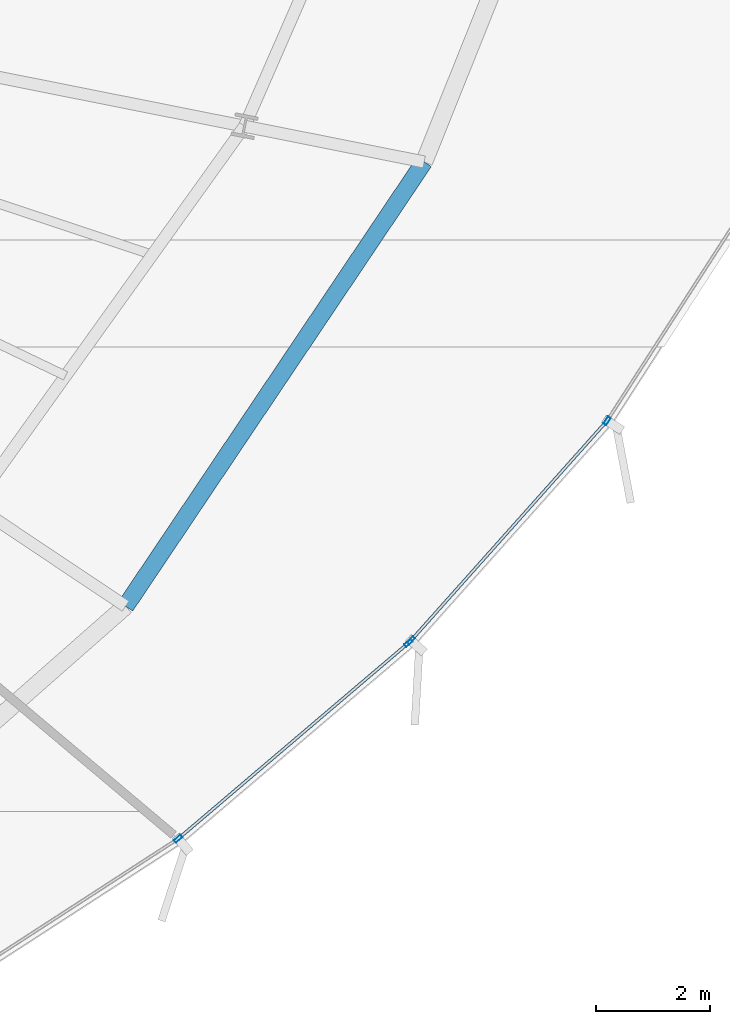
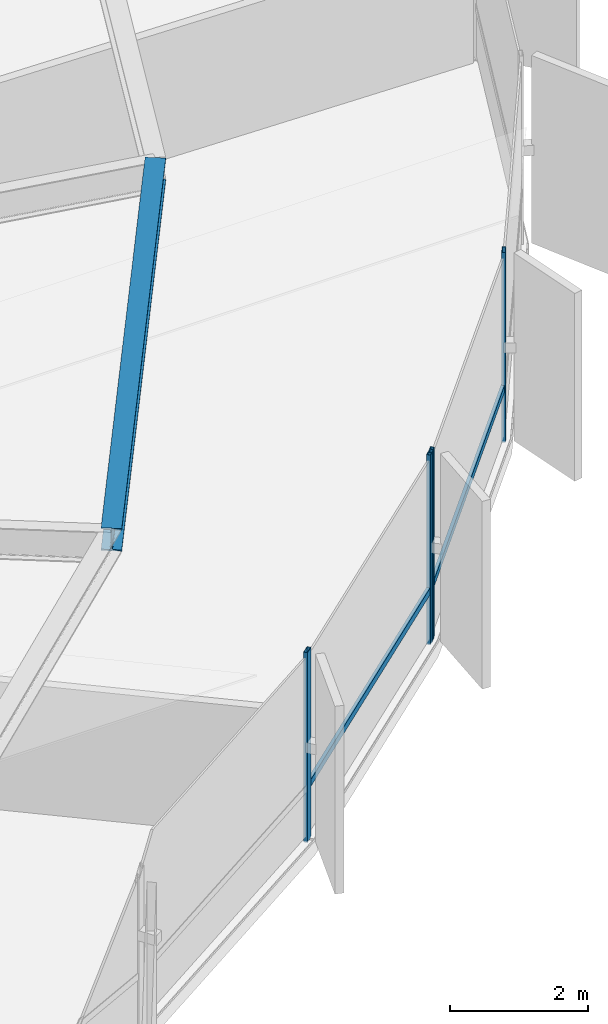
# One storey, part 14 of 35: 6 members, 1 beam, 2 elements without a shape of their own.
"""IFC4 building model written with IfcOpenShell, lengths in metres."""

from ifc_helpers import new_model, si_unit, direction, frame, origin, origin_2d, place, context, subcontext, project, spatial, hollow_rectangle, i_section, extrude, source, transform, mapped, material, layer, layer_set, material_profile, profile_set, type_object, element, aggregate, save


model = new_model("IFC4")

# Units and contexts
model_context = context("Model", 3, precision=1e-05, world=origin(), true_north=direction((0.0, 1.0)))
body_context = subcontext(model_context, "Body", "Model", "MODEL_VIEW")
ifc_project = project(units=[si_unit("LENGTHUNIT", "METRE"), si_unit("AREAUNIT", "SQUARE_METRE"), si_unit("VOLUMEUNIT", "CUBIC_METRE"), si_unit("PLANEANGLEUNIT", "RADIAN"), si_unit("MASSUNIT", "GRAM", prefix="KILO"), si_unit("THERMODYNAMICTEMPERATUREUNIT", "KELVIN")], contexts=[model_context])

# Site, building, storey
site_placement = place(None, origin())
site = spatial("IfcSite", under=ifc_project, at=site_placement, CompositionType="ELEMENT")
building_placement = place(site_placement, origin())
building = spatial("IfcBuilding", under=site, at=building_placement, Name="Kethvar Cultural Tower", CompositionType="ELEMENT")
storey_placement = place(building_placement, frame((0.0, 0.0, 89.199951171875)))
storey = spatial("IfcBuildingStorey", under=building, at=storey_placement, Name="L21", CompositionType="ELEMENT", Elevation=89.199951171875)

# Beam
ifc_material_1 = material(Name="Steel S355J2", Category="steel")
ifc_material_profile_1 = material_profile(ifc_material_1, i_section(OverallWidth=0.300048828125, OverallDepth=0.39990234375, WebThickness=0.013427734375, FlangeThickness=0.02392578125, FilletRadius=0.027099609375, at=origin_2d()), Name="Steel S355J2 — HEB400")
ifc_profile_set_1 = profile_set([ifc_material_profile_1], Name="Steel S355J2 — HEB400")
beam_type = type_object("IfcBeamType", Name="BM-SP400", PredefinedType="SPANDREL", material=ifc_profile_set_1)
shared_shape_1 = source(origin(), body_context, "Body", "SweptSolid", [
    extrude(i_section(OverallWidth=0.300048828125, OverallDepth=0.39990234375, WebThickness=0.013427734375, FlangeThickness=0.02392578125, FilletRadius=0.027099609375, at=origin_2d()), origin(), (0.0, 0.0, 1.0), 9.355224609375),
])
beam_placement = place(storey_placement, frame((65.559326171875, 15.265380859375, 3.14794921875), z_axis=(0.557731714622, 0.830021285573, 0.0), x_axis=(-0.830021285573, 0.557731714622, 0.0)))
element("IfcBeam", 1, at=beam_placement, inside=storey, type_object=beam_type, Name="L21 Perimeter Spandrel Beam SP-15", PredefinedType="SPANDREL", context=body_context, shape_type="MappedRepresentation", body=[
    mapped(shared_shape_1, transform((0.0, 0.0, 0.0), scale=1.0)),
])

# Curtain wall, members
ifc_material_2 = material(Name="Aluminium 6063-T6", Category="aluminium")
ifc_layer = layer(ifc_material_2, 0.179931640625, Name="Aluminium 6063-T6", Category="aluminium")
ifc_layer_set = layer_set([ifc_layer], Name="Aluminium 6063-T6 (180 mm)")
curtain_wall_type = type_object("IfcCurtainWallType", Name="CW-SYS-03-Z2", PredefinedType="NOTDEFINED", material=ifc_layer_set)
curtain_wall_1_placement = place(storey_placement, origin())
curtain_wall_1 = element("IfcCurtainWall", 2, at=curtain_wall_1_placement, inside=storey, type_object=curtain_wall_type, Name="L21 Curtain Wall Run 05", PredefinedType="NOTDEFINED")
ifc_material_profile_2 = material_profile(ifc_material_2, hollow_rectangle(XDim=0.06005859375, YDim=0.14990234375, WallThickness=0.0048828125, at=origin_2d()), Name="Aluminium 6063-T6 — RHS150x60x5")
ifc_profile_set_2 = profile_set([ifc_material_profile_2], Name="Aluminium 6063-T6 — RHS150x60x5")
member_type_1 = type_object("IfcMemberType", Name="CW-SYS-03-Z2-MUL", PredefinedType="MULLION", material=ifc_profile_set_2)
shared_shape_2 = source(origin(), body_context, "Body", "SweptSolid", [
    extrude(hollow_rectangle(XDim=0.06005859375, YDim=0.14990234375, WallThickness=0.0048828125, at=origin_2d()), origin(), (0.0, 0.0, 1.0), 3.35009765625),
])
member_1_placement = place(storey_placement, frame((66.478515625, 11.200439453125, 0.0), z_axis=(0.0, 0.0, 1.0), x_axis=(-0.647774259222, 0.7618323366, 0.0)))
member_1 = element("IfcMember", 3, at=member_1_placement, type_object=member_type_1, Name="CW-L21-R05 Mullion 6", PredefinedType="MULLION", context=body_context, shape_type="MappedRepresentation", body=[
    mapped(shared_shape_2, transform((0.0, 0.0, 0.0), scale=1.0)),
])
member_2_placement = place(storey_placement, frame((70.5029296875, 14.62255859375, 0.0), z_axis=(0.0, 0.0, 1.0), x_axis=(-0.647774259222, 0.7618323366, 0.0)))
member_2 = element("IfcMember", 4, at=member_2_placement, type_object=member_type_1, Name="CW-L21-R05 Mullion 7", PredefinedType="MULLION", context=body_context, shape_type="MappedRepresentation", body=[
    mapped(shared_shape_2, transform((0.0, 0.0, 0.0), scale=1.0)),
])

curtain_wall_2_placement = place(storey_placement, origin())
curtain_wall_2 = element("IfcCurtainWall", 5, at=curtain_wall_2_placement, inside=storey, type_object=curtain_wall_type, Name="L21 Curtain Wall Run 06", PredefinedType="NOTDEFINED")
member_3_placement = place(storey_placement, frame((70.54736328125, 14.666015625, 0.0), z_axis=(0.0, 0.0, 1.0), x_axis=(-0.746127101936, 0.665803535404, 0.0)))
member_3 = element("IfcMember", 6, at=member_3_placement, type_object=member_type_1, Name="CW-L21-R06 Mullion 1", PredefinedType="MULLION", context=body_context, shape_type="MappedRepresentation", body=[
    mapped(shared_shape_2, transform((0.0, 0.0, 0.0), scale=1.0)),
])
member_4_placement = place(storey_placement, frame((73.974365234375, 18.50390625, 0.0), z_axis=(0.0, 0.0, 1.0), x_axis=(-0.840339619555, 0.542060258464, 0.0)))
member_4 = element("IfcMember", 7, at=member_4_placement, type_object=member_type_1, Name="CW-L21-R06 Mullion 2", PredefinedType="MULLION", context=body_context, shape_type="MappedRepresentation", body=[
    mapped(shared_shape_2, transform((0.0, 0.0, 0.0), scale=1.0)),
])

# Member
ifc_material_profile_3 = material_profile(ifc_material_2, hollow_rectangle(XDim=0.054931640625, YDim=0.1201171875, WallThickness=0.00390625, at=origin_2d()), Name="Aluminium 6063-T6 — RHS120x55x4")
ifc_profile_set_3 = profile_set([ifc_material_profile_3], Name="Aluminium 6063-T6 — RHS120x55x4")
member_type_2 = type_object("IfcMemberType", Name="CW-SYS-03-Z2-TRN", PredefinedType="USERDEFINED", material=ifc_profile_set_3)
shared_shape_3 = source(origin(), body_context, "Body", "SweptSolid", [
    extrude(hollow_rectangle(XDim=0.054931640625, YDim=0.1201171875, WallThickness=0.00390625, at=origin_2d()), origin(), (0.0, 0.0, 1.0), 5.2353515625),
])
member_5_placement = place(storey_placement, frame((66.51123046875, 11.228515625, 0.949951171875), z_axis=(0.761834604717, 0.647771591732, 0.0), x_axis=(-0.647771591732, 0.761834604717, 0.0)))
member_5 = element("IfcMember", 8, at=member_5_placement, type_object=member_type_2, Name="CW-L21-R05 Transom 6", ObjectType="TRANSOM", PredefinedType="USERDEFINED", context=body_context, shape_type="MappedRepresentation", body=[
    mapped(shared_shape_3, transform((0.0, 0.0, 0.0), scale=1.0)),
])

aggregate(curtain_wall_1, [member_1, member_2, member_5])

shared_shape_4 = source(origin(), body_context, "Body", "SweptSolid", [
    extrude(hollow_rectangle(XDim=0.054931640625, YDim=0.1201171875, WallThickness=0.00390625, at=origin_2d()), origin(), (0.0, 0.0, 1.0), 5.11572265625),
])
member_6_placement = place(storey_placement, frame((70.55029296875, 14.6689453125, 0.949951171875), z_axis=(0.665781491448, 0.746146772187, 0.0), x_axis=(-0.746146772187, 0.665781491448, 0.0)))
member_6 = element("IfcMember", 9, at=member_6_placement, type_object=member_type_2, Name="CW-L21-R06 Transom 1", ObjectType="TRANSOM", PredefinedType="USERDEFINED", context=body_context, shape_type="MappedRepresentation", body=[
    mapped(shared_shape_4, transform((0.0, 0.0, 0.0), scale=1.0)),
])

aggregate(curtain_wall_2, [member_3, member_4, member_6])

save(model, "model.ifc")
